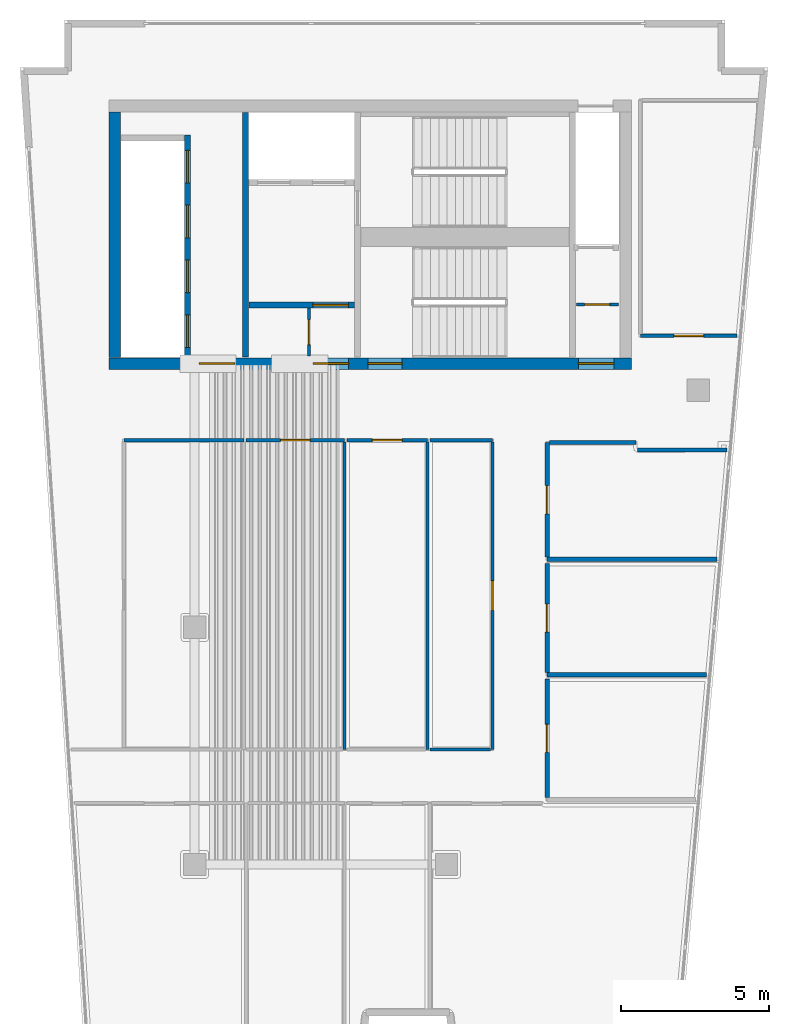
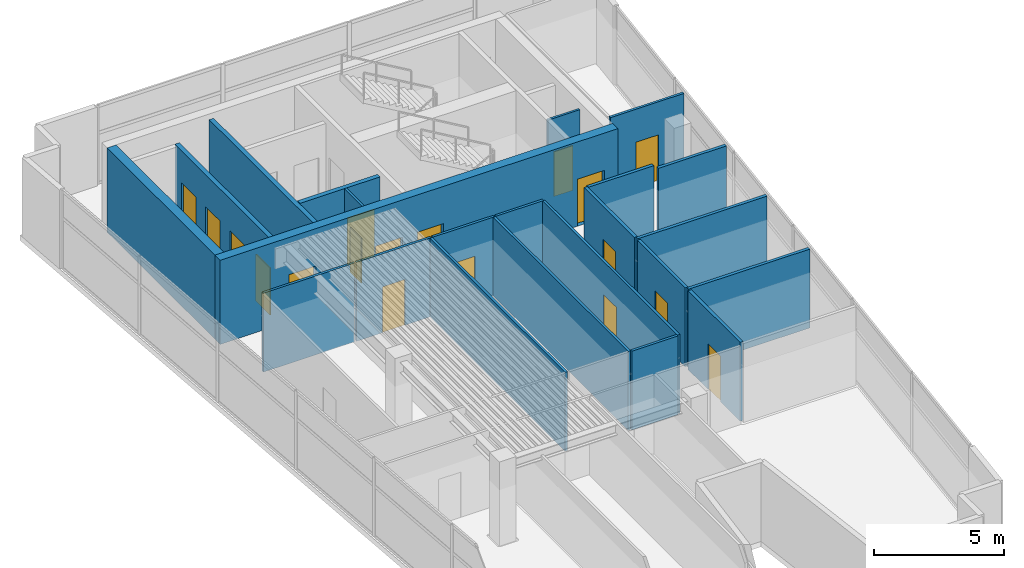
# One storey, part 4 of 7: 23 walls, 18 doors, 18 openings.
"""IFC4 building model written with IfcOpenShell, lengths in metres."""

from ifc_helpers import new_model, si_unit, direction, frame, frame_2d, origin, place, context, subcontext, project, spatial, rectangle, extrude, material, layer, layer_set, type_object, element, fill, save


model = new_model("IFC4")

# Units and contexts
model_context = context("Model", 3, precision=1e-05, world=origin(), true_north=direction((0.0, 1.0)))
body_context = subcontext(model_context, "Body", "Model", "MODEL_VIEW")
ifc_project = project(units=[si_unit("LENGTHUNIT", "METRE"), si_unit("AREAUNIT", "SQUARE_METRE"), si_unit("VOLUMEUNIT", "CUBIC_METRE"), si_unit("PLANEANGLEUNIT", "RADIAN"), si_unit("MASSUNIT", "GRAM", prefix="KILO")], contexts=[model_context])

# Site, building, storey
site_placement = place(None, origin())
site = spatial("IfcSite", under=ifc_project, at=site_placement, CompositionType="ELEMENT")
building_placement = place(site_placement, origin())
building = spatial("IfcBuilding", under=site, at=building_placement, Name="Caeloran Harvest Quay", CompositionType="ELEMENT")
storey_placement = place(building_placement, frame((0.0, 0.0, 304.10009765625)))
storey = spatial("IfcBuildingStorey", under=building, at=storey_placement, Name="L73", CompositionType="ELEMENT", Elevation=304.10009765625)

# Wall, opening, door
ifc_material_1 = material(Name="Fire-Resisting Gypsum Core Riser Partition", Category="gypsum")
ifc_layer_1 = layer(ifc_material_1, 0.10009765625, Name="Fire-Resisting Gypsum Core Riser Partition")
ifc_layer_set_1 = layer_set([ifc_layer_1], Name="Fire-Resisting Gypsum Core Riser Partition")
wall_type_1 = type_object("IfcWallType", Name="INT-WALL-PW-100", PredefinedType="PARTITIONING", material=ifc_layer_set_1)
wall_1_placement = place(storey_placement, frame((12.360107421875, 32.159912109375, 0.0), z_axis=(0.0, 0.0, 1.0), x_axis=(0.0, 1.0, 0.0)))
wall_1 = element("IfcWall", 1, at=wall_1_placement, inside=storey, type_object=wall_type_1, Name="L73 Core Store Partition Wall", PredefinedType="PARTITIONING", context=body_context, shape_type="SweptSolid", body=[
    extrude(rectangle(XDim=1.6201171875, YDim=0.10009765625, at=frame_2d((0.81005859375, 0.0))), origin(), (0.0, 0.0, 1.0), 3.699951171875),
])
opening_1_placement = place(wall_1_placement, frame((0.3798828125, 0.0, 0.0)))
opening_1 = element("IfcOpeningElement", 2, at=opening_1_placement, cuts=wall_1, Name="Opening SV-01", PredefinedType="OPENING", context=body_context, shape_type="SweptSolid", body=[
    extrude(rectangle(XDim=0.85009765625, YDim=2.10009765625, at=frame_2d((0.425048828125, 1.050048828125))), frame((0.0, 0.06005859375, 0.0), z_axis=(0.0, -1.0, 0.0), x_axis=(1.0, 0.0, 0.0)), (0.0, 0.0, 1.0), 0.1201171875),
])
ifc_material_2 = material(Name="Galvanized Painted Steel", Category="steel")
door_type_1 = type_object("IfcDoorType", Name="INTDOOR-SV-01", OperationType="NOTDEFINED", PredefinedType="DOOR", material=ifc_material_2)
door_1_placement = place(opening_1_placement, origin())
door_1 = element("IfcDoor", 3, at=door_1_placement, inside=storey, type_object=door_type_1, Name="L73 Core Service Room Access Door", OperationType="SINGLE_SWING_LEFT", OverallHeight=2.10009765625, OverallWidth=0.85009765625, PredefinedType="DOOR", context=body_context, shape_type="SweptSolid", body=[
    extrude(rectangle(XDim=0.85009765625, YDim=2.10009765625, at=frame_2d((0.425048828125, 1.050048828125))), frame((0.0, 0.02490234375, 0.0), z_axis=(0.0, -1.0, 0.0), x_axis=(1.0, 0.0, 0.0)), (0.0, 0.0, 1.0), 0.050048828125),
])
fill(opening_1, door_1)

wall_2_placement = place(storey_placement, frame((21.3798828125, 33.889892578125, 0.0), z_axis=(0.0, 0.0, 1.0), x_axis=(1.0, 0.0, 0.0)))
wall_2 = element("IfcWall", 4, at=wall_2_placement, inside=storey, type_object=wall_type_1, Name="L73 Cleaner Store Partition Wall", PredefinedType="PARTITIONING", context=body_context, shape_type="SweptSolid", body=[
    extrude(rectangle(XDim=1.420166015625, YDim=0.10009765625, at=frame_2d((0.7099609375, 0.0))), origin(), (0.0, 0.0, 1.0), 3.699951171875),
])
opening_2_placement = place(wall_2_placement, frame((0.280029296875, 0.0, 0.0)))
opening_2 = element("IfcOpeningElement", 5, at=opening_2_placement, cuts=wall_2, Name="Opening SV-01", PredefinedType="OPENING", context=body_context, shape_type="SweptSolid", body=[
    extrude(rectangle(XDim=0.85009765625, YDim=2.10009765625, at=frame_2d((0.425048828125, 1.050048828125))), frame((0.0, 0.06005859375, 0.0), z_axis=(0.0, -1.0, 0.0), x_axis=(1.0, 0.0, 0.0)), (0.0, 0.0, 1.0), 0.1201171875),
])
door_2_placement = place(opening_2_placement, origin())
door_2 = element("IfcDoor", 6, at=door_2_placement, inside=storey, type_object=door_type_1, Name="L73 Cleaner Supply Store Access Door", OperationType="SINGLE_SWING_RIGHT", OverallHeight=2.10009765625, OverallWidth=0.85009765625, PredefinedType="DOOR", context=body_context, shape_type="SweptSolid", body=[
    extrude(rectangle(XDim=0.85009765625, YDim=2.10009765625, at=frame_2d((0.425048828125, 1.050048828125))), frame((0.0, 0.02490234375, 0.0), z_axis=(0.0, -1.0, 0.0), x_axis=(1.0, 0.0, 0.0)), (0.0, 0.0, 1.0), 0.050048828125),
])
fill(opening_2, door_2)

ifc_material_3 = material(Name="Single-Stud Acoustic Gypsum Office Partition", Category="gypsum")
ifc_layer_2 = layer(ifc_material_3, 0.112060546875, Name="Single-Stud Acoustic Gypsum Office Partition")
ifc_layer_set_2 = layer_set([ifc_layer_2], Name="Single-Stud Acoustic Gypsum Office Partition")
wall_type_2 = type_object("IfcWallType", Name="INT-WALL-PW-112", PredefinedType="PARTITIONING", material=ifc_layer_set_2)
wall_3_placement = place(storey_placement, frame((26.812744140625, 32.840087890625, 0.0), z_axis=(0.0, 0.0, 1.0), x_axis=(-1.0, 0.0, 0.0)))
wall_3 = element("IfcWall", 7, at=wall_3_placement, inside=storey, type_object=wall_type_2, Name="L73 Bioinformatics and Crop Phenotyping Laboratory Partition Wall", PredefinedType="PARTITIONING", context=body_context, shape_type="SweptSolid", body=[
    extrude(rectangle(XDim=3.272705078125, YDim=0.112060546875, at=frame_2d((1.63623046875, 0.0))), origin(), (0.0, 0.0, 1.0), 3.699951171875),
])
opening_3_placement = place(wall_3_placement, frame((1.136474609375, 0.0, 0.0)))
opening_3 = element("IfcOpeningElement", 8, at=opening_3_placement, cuts=wall_3, Name="Opening ID-01", PredefinedType="OPENING", context=body_context, shape_type="SweptSolid", body=[
    extrude(rectangle(XDim=1.0, YDim=2.14990234375, at=frame_2d((0.5, 1.074951171875))), frame((0.0, 0.06591796875, 0.0), z_axis=(0.0, -1.0, 0.0), x_axis=(1.0, 0.0, 0.0)), (0.0, 0.0, 1.0), 0.132080078125),
])
ifc_material_4 = material(Name="FSC Solid-Core Ash Timber and Acoustic Seal", Category="wood")
door_type_2 = type_object("IfcDoorType", Name="INTDOOR-ID-01", OperationType="NOTDEFINED", PredefinedType="DOOR", material=ifc_material_4)
door_3_placement = place(opening_3_placement, origin())
door_3 = element("IfcDoor", 9, at=door_3_placement, inside=storey, type_object=door_type_2, Name="L73 Bioinformatics and Crop Phenotyping Laboratory Access Door", OperationType="SINGLE_SWING_LEFT", OverallHeight=2.14990234375, OverallWidth=1.0, PredefinedType="DOOR", context=body_context, shape_type="SweptSolid", body=[
    extrude(rectangle(XDim=1.0, YDim=2.14990234375, at=frame_2d((0.5, 1.074951171875))), frame((0.0, 0.02490234375, 0.0), z_axis=(0.0, -1.0, 0.0), x_axis=(1.0, 0.0, 0.0)), (0.0, 0.0, 1.0), 0.050048828125),
])
fill(opening_3, door_3)

# Wall
wall_4_placement = place(storey_placement, frame((6.110107421875, 29.320068359375, 0.0), z_axis=(0.0, 0.0, 1.0), x_axis=(1.0, 0.0, 0.0)))
element("IfcWall", 10, at=wall_4_placement, inside=storey, type_object=wall_type_2, Name="Sky-Atrium Observation Lounge Partition Wall", PredefinedType="PARTITIONING", context=body_context, shape_type="SweptSolid", body=[
    extrude(rectangle(XDim=4.0498046875, YDim=0.112060546875, at=frame_2d((2.02490234375, 0.0))), origin(), (0.0, 0.0, 1.0), 3.699951171875),
])

# Wall, opening, door
wall_5_placement = place(storey_placement, frame((10.239990234375, 29.320068359375, 0.0), z_axis=(0.0, 0.0, 1.0), x_axis=(1.0, 0.0, 0.0)))
wall_5 = element("IfcWall", 11, at=wall_5_placement, inside=storey, type_object=wall_type_2, Name="Botanical Tea Kitchen Partition Wall", PredefinedType="PARTITIONING", context=body_context, shape_type="SweptSolid", body=[
    extrude(rectangle(XDim=3.320068359375, YDim=0.112060546875, at=frame_2d((1.66015625, 0.0))), origin(), (0.0, 0.0, 1.0), 3.699951171875),
])
opening_4_placement = place(wall_5_placement, frame((1.159912109375, 0.0, 0.0)))
opening_4 = element("IfcOpeningElement", 12, at=opening_4_placement, cuts=wall_5, Name="Opening ID-01", PredefinedType="OPENING", context=body_context, shape_type="SweptSolid", body=[
    extrude(rectangle(XDim=1.0, YDim=2.14990234375, at=frame_2d((0.5, 1.074951171875))), frame((0.0, 0.06591796875, 0.0), z_axis=(0.0, -1.0, 0.0), x_axis=(1.0, 0.0, 0.0)), (0.0, 0.0, 1.0), 0.132080078125),
])
door_4_placement = place(opening_4_placement, origin())
door_4 = element("IfcDoor", 13, at=door_4_placement, inside=storey, type_object=door_type_2, Name="Botanical Tea Kitchen Access Door", OperationType="SINGLE_SWING_RIGHT", OverallHeight=2.14990234375, OverallWidth=1.0, PredefinedType="DOOR", context=body_context, shape_type="SweptSolid", body=[
    extrude(rectangle(XDim=1.0, YDim=2.14990234375, at=frame_2d((0.5, 1.074951171875))), frame((0.0, 0.02490234375, 0.0), z_axis=(0.0, -1.0, 0.0), x_axis=(1.0, 0.0, 0.0)), (0.0, 0.0, 1.0), 0.050048828125),
])
fill(opening_4, door_4)

# Wall
wall_6_placement = place(storey_placement, frame((13.56005859375, 29.259033203125, 0.0), z_axis=(0.0, 0.0, 1.0), x_axis=(0.0, -1.0, 0.0)))
element("IfcWall", 14, at=wall_6_placement, inside=storey, type_object=wall_type_2, Name="Botanical Tea Kitchen Partition Wall", PredefinedType="PARTITIONING", context=body_context, shape_type="SweptSolid", body=[
    extrude(rectangle(XDim=10.379150390625, YDim=0.112060546875, at=frame_2d((5.189453125, 0.0))), origin(), (0.0, 0.0, 1.0), 3.699951171875),
])

# Wall, opening, door
wall_7_placement = place(storey_placement, frame((13.639892578125, 29.320068359375, 0.0), z_axis=(0.0, 0.0, 1.0), x_axis=(1.0, 0.0, 0.0)))
wall_7 = element("IfcWall", 15, at=wall_7_placement, inside=storey, type_object=wall_type_2, Name="West Harbour Tasting Kitchen 7 Partition Wall", PredefinedType="PARTITIONING", context=body_context, shape_type="SweptSolid", body=[
    extrude(rectangle(XDim=2.72021484375, YDim=0.112060546875, at=frame_2d((1.360107421875, 0.0))), origin(), (0.0, 0.0, 1.0), 3.699951171875),
])
opening_5_placement = place(wall_7_placement, frame((0.860107421875, 0.0, 0.0)))
opening_5 = element("IfcOpeningElement", 16, at=opening_5_placement, cuts=wall_7, Name="Opening ID-01", PredefinedType="OPENING", context=body_context, shape_type="SweptSolid", body=[
    extrude(rectangle(XDim=1.0, YDim=2.14990234375, at=frame_2d((0.5, 1.074951171875))), frame((0.0, 0.06591796875, 0.0), z_axis=(0.0, -1.0, 0.0), x_axis=(1.0, 0.0, 0.0)), (0.0, 0.0, 1.0), 0.132080078125),
])
door_5_placement = place(opening_5_placement, origin())
door_5 = element("IfcDoor", 17, at=door_5_placement, inside=storey, type_object=door_type_2, Name="West Harbour Tasting Kitchen 7 Access Door", OperationType="SINGLE_SWING_LEFT", OverallHeight=2.14990234375, OverallWidth=1.0, PredefinedType="DOOR", context=body_context, shape_type="SweptSolid", body=[
    extrude(rectangle(XDim=1.0, YDim=2.14990234375, at=frame_2d((0.5, 1.074951171875))), frame((0.0, 0.02490234375, 0.0), z_axis=(0.0, -1.0, 0.0), x_axis=(1.0, 0.0, 0.0)), (0.0, 0.0, 1.0), 0.050048828125),
])
fill(opening_5, door_5)

# Walls
wall_8_placement = place(storey_placement, frame((16.360107421875, 29.259033203125, 0.0), z_axis=(0.0, 0.0, 1.0), x_axis=(0.0, -1.0, 0.0)))
element("IfcWall", 18, at=wall_8_placement, inside=storey, type_object=wall_type_2, Name="West Harbour Tasting Kitchen 7 Partition Wall", PredefinedType="PARTITIONING", context=body_context, shape_type="SweptSolid", body=[
    extrude(rectangle(XDim=10.379150390625, YDim=0.112060546875, at=frame_2d((5.189453125, 0.0))), origin(), (0.0, 0.0, 1.0), 3.699951171875),
])
wall_9_placement = place(storey_placement, frame((16.43994140625, 29.320068359375, 0.0), z_axis=(0.0, 0.0, 1.0), x_axis=(1.0, 0.0, 0.0)))
element("IfcWall", 19, at=wall_9_placement, inside=storey, type_object=wall_type_2, Name="Executive Dining Kitchen 8 Partition Wall", PredefinedType="PARTITIONING", context=body_context, shape_type="SweptSolid", body=[
    extrude(rectangle(XDim=2.110107421875, YDim=0.112060546875, at=frame_2d((1.05517578125, 0.0))), origin(), (0.0, 0.0, 1.0), 3.699951171875),
])

# Wall, opening, door
wall_10_placement = place(storey_placement, frame((18.550048828125, 29.259033203125, 0.0), z_axis=(0.0, 0.0, 1.0), x_axis=(0.0, -1.0, 0.0)))
wall_10 = element("IfcWall", 20, at=wall_10_placement, inside=storey, type_object=wall_type_2, Name="Executive Dining Kitchen 8 Partition Wall", PredefinedType="PARTITIONING", context=body_context, shape_type="SweptSolid", body=[
    extrude(rectangle(XDim=10.379150390625, YDim=0.112060546875, at=frame_2d((5.189453125, 0.0))), origin(), (0.0, 0.0, 1.0), 3.699951171875),
])
opening_6_placement = place(wall_10_placement, frame((4.689453125, 0.0, 0.0)))
opening_6 = element("IfcOpeningElement", 21, at=opening_6_placement, cuts=wall_10, Name="Opening ID-01", PredefinedType="OPENING", context=body_context, shape_type="SweptSolid", body=[
    extrude(rectangle(XDim=1.0, YDim=2.14990234375, at=frame_2d((0.5, 1.074951171875))), frame((0.0, 0.06591796875, 0.0), z_axis=(0.0, -1.0, 0.0), x_axis=(1.0, 0.0, 0.0)), (0.0, 0.0, 1.0), 0.132080078125),
])
door_6_placement = place(opening_6_placement, origin())
door_6 = element("IfcDoor", 22, at=door_6_placement, inside=storey, type_object=door_type_2, Name="Executive Dining Kitchen 8 Access Door", OperationType="SINGLE_SWING_RIGHT", OverallHeight=2.14990234375, OverallWidth=1.0, PredefinedType="DOOR", context=body_context, shape_type="SweptSolid", body=[
    extrude(rectangle(XDim=1.0, YDim=2.14990234375, at=frame_2d((0.5, 1.074951171875))), frame((0.0, 0.02490234375, 0.0), z_axis=(0.0, -1.0, 0.0), x_axis=(1.0, 0.0, 0.0)), (0.0, 0.0, 1.0), 0.050048828125),
])
fill(opening_6, door_6)

# Walls
wall_11_placement = place(storey_placement, frame((18.489013671875, 18.8798828125, 0.0), z_axis=(0.0, 0.0, 1.0), x_axis=(-1.0, 0.0, 0.0)))
element("IfcWall", 23, at=wall_11_placement, inside=storey, type_object=wall_type_2, Name="Executive Dining Kitchen 8 Partition Wall", PredefinedType="PARTITIONING", context=body_context, shape_type="SweptSolid", body=[
    extrude(rectangle(XDim=2.049072265625, YDim=0.112060546875, at=frame_2d((1.0244140625, 0.0))), origin(), (0.0, 0.0, 1.0), 3.699951171875),
])
ifc_material_5 = material(Name="Moisture-Resistant Cement-Board Sanitary Partition", Category="gypsum")
ifc_layer_3 = layer(ifc_material_5, 0.139892578125, Name="Moisture-Resistant Cement-Board Sanitary Partition")
ifc_layer_set_3 = layer_set([ifc_layer_3], Name="Moisture-Resistant Cement-Board Sanitary Partition")
wall_type_3 = type_object("IfcWallType", Name="INT-WALL-PW-140", PredefinedType="PARTITIONING", material=ifc_layer_set_3)
wall_12_placement = place(storey_placement, frame((23.449951171875, 28.989990234375, 0.0), z_axis=(0.0, 0.0, 1.0), x_axis=(1.0, 0.0, 0.0)))
element("IfcWall", 24, at=wall_12_placement, inside=storey, type_object=wall_type_3, Name="L73 Male Washroom WC Partition Wall", PredefinedType="PARTITIONING", context=body_context, shape_type="SweptSolid", body=[
    extrude(rectangle(XDim=3.015625, YDim=0.139892578125, at=frame_2d((1.5078125, 0.0))), origin(), (0.0, 0.0, 1.0), 3.699951171875),
])
wall_13_placement = place(storey_placement, frame((26.1328125, 25.300048828125, 0.0), z_axis=(0.0, 0.0, 1.0), x_axis=(-1.0, 0.0, 0.0)))
element("IfcWall", 25, at=wall_13_placement, inside=storey, type_object=wall_type_3, Name="L73 Male Washroom WC Partition Wall", PredefinedType="PARTITIONING", context=body_context, shape_type="SweptSolid", body=[
    extrude(rectangle(XDim=5.73291015625, YDim=0.139892578125, at=frame_2d((2.866455078125, 0.0))), origin(), (0.0, 0.0, 1.0), 3.699951171875),
])

# Wall, opening, door
wall_14_placement = place(storey_placement, frame((20.39990234375, 25.375, 0.0), z_axis=(0.0, 0.0, 1.0), x_axis=(0.0, 1.0, 0.0)))
wall_14 = element("IfcWall", 26, at=wall_14_placement, inside=storey, type_object=wall_type_3, Name="L73 Male Washroom WC Partition Wall", PredefinedType="PARTITIONING", context=body_context, shape_type="SweptSolid", body=[
    extrude(rectangle(XDim=3.864990234375, YDim=0.139892578125, at=frame_2d((1.9326171875, 0.0))), origin(), (0.0, 0.0, 1.0), 3.699951171875),
])
opening_7_placement = place(wall_14_placement, frame((1.45751953125, 0.0, 0.0)))
opening_7 = element("IfcOpeningElement", 27, at=opening_7_placement, cuts=wall_14, Name="Opening WC-01", PredefinedType="OPENING", context=body_context, shape_type="SweptSolid", body=[
    extrude(rectangle(XDim=0.949951171875, YDim=2.14990234375, at=frame_2d((0.47509765625, 1.074951171875))), frame((0.0, 0.080078125, 0.0), z_axis=(0.0, -1.0, 0.0), x_axis=(1.0, 0.0, 0.0)), (0.0, 0.0, 1.0), 0.159912109375),
])
ifc_material_6 = material(Name="High-Pressure Laminate Moisture-Resistant Timber", Category="wood")
door_type_3 = type_object("IfcDoorType", Name="INTDOOR-WC-01", OperationType="NOTDEFINED", PredefinedType="DOOR", material=ifc_material_6)
door_7_placement = place(opening_7_placement, origin())
door_7 = element("IfcDoor", 28, at=door_7_placement, inside=storey, type_object=door_type_3, Name="L73 Male Washroom WC Access Door", OperationType="SINGLE_SWING_RIGHT", OverallHeight=2.14990234375, OverallWidth=0.949951171875, PredefinedType="DOOR", context=body_context, shape_type="SweptSolid", body=[
    extrude(rectangle(XDim=0.949951171875, YDim=2.14990234375, at=frame_2d((0.47509765625, 1.074951171875))), frame((0.0, 0.02490234375, 0.0), z_axis=(0.0, -1.0, 0.0), x_axis=(1.0, 0.0, 0.0)), (0.0, 0.0, 1.0), 0.050048828125),
])
fill(opening_7, door_7)

# Walls
wall_15_placement = place(storey_placement, frame((20.47509765625, 29.239990234375, 0.0), z_axis=(0.0, 0.0, 1.0), x_axis=(1.0, 0.0, 0.0)))
element("IfcWall", 29, at=wall_15_placement, inside=storey, type_object=wall_type_3, Name="L73 Male Washroom WC Partition Wall", PredefinedType="PARTITIONING", context=body_context, shape_type="SweptSolid", body=[
    extrude(rectangle(XDim=2.914794921875, YDim=0.139892578125, at=frame_2d((1.45751953125, 0.0))), origin(), (0.0, 0.0, 1.0), 3.699951171875),
])
wall_16_placement = place(storey_placement, frame((25.781005859375, 21.39990234375, 0.0), z_axis=(0.0, 0.0, 1.0), x_axis=(-1.0, 0.0, 0.0)))
element("IfcWall", 30, at=wall_16_placement, inside=storey, type_object=wall_type_3, Name="L73 Female Washroom WC Partition Wall", PredefinedType="PARTITIONING", context=body_context, shape_type="SweptSolid", body=[
    extrude(rectangle(XDim=5.381103515625, YDim=0.139892578125, at=frame_2d((2.6904296875, 0.0))), origin(), (0.0, 0.0, 1.0), 3.699951171875),
])

# Wall, opening, door
wall_17_placement = place(storey_placement, frame((20.39990234375, 21.47509765625, 0.0), z_axis=(0.0, 0.0, 1.0), x_axis=(0.0, 1.0, 0.0)))
wall_17 = element("IfcWall", 31, at=wall_17_placement, inside=storey, type_object=wall_type_3, Name="L73 Female Washroom WC Partition Wall", PredefinedType="PARTITIONING", context=body_context, shape_type="SweptSolid", body=[
    extrude(rectangle(XDim=3.6748046875, YDim=0.139892578125, at=frame_2d((1.83740234375, 0.0))), origin(), (0.0, 0.0, 1.0), 3.699951171875),
])
opening_8_placement = place(wall_17_placement, frame((1.362548828125, 0.0, 0.0)))
opening_8 = element("IfcOpeningElement", 32, at=opening_8_placement, cuts=wall_17, Name="Opening WC-01", PredefinedType="OPENING", context=body_context, shape_type="SweptSolid", body=[
    extrude(rectangle(XDim=0.949951171875, YDim=2.14990234375, at=frame_2d((0.47509765625, 1.074951171875))), frame((0.0, 0.080078125, 0.0), z_axis=(0.0, -1.0, 0.0), x_axis=(1.0, 0.0, 0.0)), (0.0, 0.0, 1.0), 0.159912109375),
])
door_8_placement = place(opening_8_placement, origin())
door_8 = element("IfcDoor", 33, at=door_8_placement, inside=storey, type_object=door_type_3, Name="L73 Female Washroom WC Access Door", OperationType="SINGLE_SWING_LEFT", OverallHeight=2.14990234375, OverallWidth=0.949951171875, PredefinedType="DOOR", context=body_context, shape_type="SweptSolid", body=[
    extrude(rectangle(XDim=0.949951171875, YDim=2.14990234375, at=frame_2d((0.47509765625, 1.074951171875))), frame((0.0, 0.02490234375, 0.0), z_axis=(0.0, -1.0, 0.0), x_axis=(1.0, 0.0, 0.0)), (0.0, 0.0, 1.0), 0.050048828125),
])
fill(opening_8, door_8)

wall_18_placement = place(storey_placement, frame((20.39990234375, 17.2548828125, 0.0), z_axis=(0.0, 0.0, 1.0), x_axis=(0.0, 1.0, 0.0)))
wall_18 = element("IfcWall", 34, at=wall_18_placement, inside=storey, type_object=wall_type_3, Name="L73 Accessible Unisex Washroom WC Partition Wall", PredefinedType="PARTITIONING", context=body_context, shape_type="SweptSolid", body=[
    extrude(rectangle(XDim=3.9951171875, YDim=0.139892578125, at=frame_2d((1.99755859375, 0.0))), origin(), (0.0, 0.0, 1.0), 3.699951171875),
])
opening_9_placement = place(wall_18_placement, frame((1.5224609375, 0.0, 0.0)))
opening_9 = element("IfcOpeningElement", 35, at=opening_9_placement, cuts=wall_18, Name="Opening WC-01", PredefinedType="OPENING", context=body_context, shape_type="SweptSolid", body=[
    extrude(rectangle(XDim=0.949951171875, YDim=2.14990234375, at=frame_2d((0.47509765625, 1.074951171875))), frame((0.0, 0.080078125, 0.0), z_axis=(0.0, -1.0, 0.0), x_axis=(1.0, 0.0, 0.0)), (0.0, 0.0, 1.0), 0.159912109375),
])
door_9_placement = place(opening_9_placement, origin())
door_9 = element("IfcDoor", 36, at=door_9_placement, inside=storey, type_object=door_type_3, Name="L73 Accessible Unisex Washroom WC Access Door", OperationType="SINGLE_SWING_RIGHT", OverallHeight=2.14990234375, OverallWidth=0.949951171875, PredefinedType="DOOR", context=body_context, shape_type="SweptSolid", body=[
    extrude(rectangle(XDim=0.949951171875, YDim=2.14990234375, at=frame_2d((0.47509765625, 1.074951171875))), frame((0.0, 0.02490234375, 0.0), z_axis=(0.0, -1.0, 0.0), x_axis=(1.0, 0.0, 0.0)), (0.0, 0.0, 1.0), 0.050048828125),
])
fill(opening_9, door_9)

# Wall, openings, doors
ifc_material_7 = material(Name="Concrete C50/60", Category="concrete")
ifc_layer_4 = layer(ifc_material_7, 0.199951171875, Name="Concrete C50/60")
ifc_layer_set_4 = layer_set([ifc_layer_4], Name="Concrete C50/60")
wall_type_4 = type_object("IfcWallType", Name="INT-WALL-SW-200", PredefinedType="PARTITIONING", material=ifc_layer_set_4)
wall_19_placement = place(storey_placement, frame((8.260009765625, 32.1201171875, 0.0), z_axis=(0.0, 0.0, 1.0), x_axis=(0.0, 1.0, 0.0)))
wall_19 = element("IfcWall", 37, at=wall_19_placement, inside=storey, type_object=wall_type_4, Name="L73 Bank 3 Lift Shaft Wall", PredefinedType="PARTITIONING", context=body_context, shape_type="SweptSolid", body=[
    extrude(rectangle(XDim=7.5, YDim=0.199951171875, at=frame_2d((3.75, 0.0))), origin(), (0.0, 0.0, 1.0), 3.699951171875),
])
opening_10_placement = place(wall_19_placement, frame((0.330078125, 0.0, 0.0)))
opening_10 = element("IfcOpeningElement", 38, at=opening_10_placement, cuts=wall_19, Name="Opening LD-01", PredefinedType="OPENING", context=body_context, shape_type="SweptSolid", body=[
    extrude(rectangle(XDim=1.10009765625, YDim=2.199951171875, at=frame_2d((0.550048828125, 1.10009765625))), frame((0.0, 0.10986328125, 0.0), z_axis=(0.0, -1.0, 0.0), x_axis=(1.0, 0.0, 0.0)), (0.0, 0.0, 1.0), 0.219970703125),
])
opening_11_placement = place(wall_19_placement, frame((2.179931640625, 0.0, 0.0)))
opening_11 = element("IfcOpeningElement", 39, at=opening_11_placement, cuts=wall_19, Name="Opening LD-01", PredefinedType="OPENING", context=body_context, shape_type="SweptSolid", body=[
    extrude(rectangle(XDim=1.10009765625, YDim=2.199951171875, at=frame_2d((0.550048828125, 1.10009765625))), frame((0.0, 0.10986328125, 0.0), z_axis=(0.0, -1.0, 0.0), x_axis=(1.0, 0.0, 0.0)), (0.0, 0.0, 1.0), 0.219970703125),
])
opening_12_placement = place(wall_19_placement, frame((4.030029296875, 0.0, 0.0)))
opening_12 = element("IfcOpeningElement", 40, at=opening_12_placement, cuts=wall_19, Name="Opening LD-01", PredefinedType="OPENING", context=body_context, shape_type="SweptSolid", body=[
    extrude(rectangle(XDim=1.10009765625, YDim=2.199951171875, at=frame_2d((0.550048828125, 1.10009765625))), frame((0.0, 0.10986328125, 0.0), z_axis=(0.0, -1.0, 0.0), x_axis=(1.0, 0.0, 0.0)), (0.0, 0.0, 1.0), 0.219970703125),
])
opening_13_placement = place(wall_19_placement, frame((5.8798828125, 0.0, 0.0)))
opening_13 = element("IfcOpeningElement", 41, at=opening_13_placement, cuts=wall_19, Name="Opening LD-01", PredefinedType="OPENING", context=body_context, shape_type="SweptSolid", body=[
    extrude(rectangle(XDim=1.10009765625, YDim=2.199951171875, at=frame_2d((0.550048828125, 1.10009765625))), frame((0.0, 0.10986328125, 0.0), z_axis=(0.0, -1.0, 0.0), x_axis=(1.0, 0.0, 0.0)), (0.0, 0.0, 1.0), 0.219970703125),
])
ifc_material_8 = material(Name="Stainless Steel Grade 316", Category="steel")
door_type_4 = type_object("IfcDoorType", Name="INTDOOR-LD-01", OperationType="NOTDEFINED", PredefinedType="DOOR", material=ifc_material_8)
door_10_placement = place(opening_10_placement, origin())
door_10 = element("IfcDoor", 42, at=door_10_placement, inside=storey, type_object=door_type_4, Name="Lift P3-1 Sliding Landing Door (L73)", OperationType="DOUBLE_DOOR_SLIDING", OverallHeight=2.199951171875, OverallWidth=1.10009765625, PredefinedType="DOOR", context=body_context, shape_type="SweptSolid", body=[
    extrude(rectangle(XDim=1.10009765625, YDim=2.199951171875, at=frame_2d((0.550048828125, 1.10009765625))), frame((0.0, 0.02490234375, 0.0), z_axis=(0.0, -1.0, 0.0), x_axis=(1.0, 0.0, 0.0)), (0.0, 0.0, 1.0), 0.050048828125),
])
fill(opening_10, door_10)
door_11_placement = place(opening_11_placement, origin())
door_11 = element("IfcDoor", 43, at=door_11_placement, inside=storey, type_object=door_type_4, Name="Lift P3-2 Sliding Landing Door (L73)", OperationType="DOUBLE_DOOR_SLIDING", OverallHeight=2.199951171875, OverallWidth=1.10009765625, PredefinedType="DOOR", context=body_context, shape_type="SweptSolid", body=[
    extrude(rectangle(XDim=1.10009765625, YDim=2.199951171875, at=frame_2d((0.550048828125, 1.10009765625))), frame((0.0, 0.02490234375, 0.0), z_axis=(0.0, -1.0, 0.0), x_axis=(1.0, 0.0, 0.0)), (0.0, 0.0, 1.0), 0.050048828125),
])
fill(opening_11, door_11)
door_12_placement = place(opening_12_placement, origin())
door_12 = element("IfcDoor", 44, at=door_12_placement, inside=storey, type_object=door_type_4, Name="Lift P3-3 Sliding Landing Door (L73)", OperationType="DOUBLE_DOOR_SLIDING", OverallHeight=2.199951171875, OverallWidth=1.10009765625, PredefinedType="DOOR", context=body_context, shape_type="SweptSolid", body=[
    extrude(rectangle(XDim=1.10009765625, YDim=2.199951171875, at=frame_2d((0.550048828125, 1.10009765625))), frame((0.0, 0.02490234375, 0.0), z_axis=(0.0, -1.0, 0.0), x_axis=(1.0, 0.0, 0.0)), (0.0, 0.0, 1.0), 0.050048828125),
])
fill(opening_12, door_12)
door_13_placement = place(opening_13_placement, origin())
door_13 = element("IfcDoor", 45, at=door_13_placement, inside=storey, type_object=door_type_4, Name="Lift P3-4 Sliding Landing Door (L73)", OperationType="DOUBLE_DOOR_SLIDING", OverallHeight=2.199951171875, OverallWidth=1.10009765625, PredefinedType="DOOR", context=body_context, shape_type="SweptSolid", body=[
    extrude(rectangle(XDim=1.10009765625, YDim=2.199951171875, at=frame_2d((0.550048828125, 1.10009765625))), frame((0.0, 0.02490234375, 0.0), z_axis=(0.0, -1.0, 0.0), x_axis=(1.0, 0.0, 0.0)), (0.0, 0.0, 1.0), 0.050048828125),
])
fill(opening_13, door_13)

# Wall
wall_20_placement = place(storey_placement, frame((10.219970703125, 32.1201171875, 0.0), z_axis=(0.0, 0.0, 1.0), x_axis=(0.0, 1.0, 0.0)))
element("IfcWall", 46, at=wall_20_placement, inside=storey, type_object=wall_type_4, Name="L73 Core Lobby Compartment Wall", PredefinedType="PARTITIONING", context=body_context, shape_type="SweptSolid", body=[
    extrude(rectangle(XDim=8.259765625, YDim=0.199951171875, at=frame_2d((4.1298828125, 0.0))), origin(), (0.0, 0.0, 1.0), 3.699951171875),
])

# Wall, opening, door
wall_21_placement = place(storey_placement, frame((10.340087890625, 33.8798828125, 0.0), z_axis=(0.0, 0.0, 1.0), x_axis=(1.0, 0.0, 0.0)))
wall_21 = element("IfcWall", 47, at=wall_21_placement, inside=storey, type_object=wall_type_4, Name="L73 Firefighting Lift Lobby Enclosure Wall", PredefinedType="PARTITIONING", context=body_context, shape_type="SweptSolid", body=[
    extrude(rectangle(XDim=3.559814453125, YDim=0.199951171875, at=frame_2d((1.77978515625, 0.0))), origin(), (0.0, 0.0, 1.0), 3.699951171875),
])
opening_14_placement = place(wall_21_placement, frame((2.14990234375, 0.0, 0.0)))
opening_14 = element("IfcOpeningElement", 48, at=opening_14_placement, cuts=wall_21, Name="Opening FD-01", PredefinedType="OPENING", context=body_context, shape_type="SweptSolid", body=[
    extrude(rectangle(XDim=1.199951171875, YDim=2.199951171875, at=frame_2d((0.60009765625, 1.10009765625))), frame((0.0, 0.10986328125, 0.0), z_axis=(0.0, -1.0, 0.0), x_axis=(1.0, 0.0, 0.0)), (0.0, 0.0, 1.0), 0.219970703125),
])
ifc_material_9 = material(Name="Steel", Category="steel")
door_type_5 = type_object("IfcDoorType", Name="INTDOOR-FD-01", OperationType="NOTDEFINED", PredefinedType="DOOR", material=ifc_material_9)
door_14_placement = place(opening_14_placement, origin())
door_14 = element("IfcDoor", 49, at=door_14_placement, inside=storey, type_object=door_type_5, Name="L73 Firefighting Lift Lobby Smoke-Seal Fire Door", OperationType="SINGLE_SWING_RIGHT", OverallHeight=2.199951171875, OverallWidth=1.199951171875, PredefinedType="DOOR", context=body_context, shape_type="SweptSolid", body=[
    extrude(rectangle(XDim=1.199951171875, YDim=2.199951171875, at=frame_2d((0.60009765625, 1.10009765625))), frame((0.0, 0.02490234375, 0.0), z_axis=(0.0, -1.0, 0.0), x_axis=(1.0, 0.0, 0.0)), (0.0, 0.0, 1.0), 0.050048828125),
])
fill(opening_14, door_14)

# Wall, openings, doors
ifc_material_10 = material(Name="Concrete C60/75", Category="concrete")
ifc_layer_5 = layer(ifc_material_10, 0.39990234375, Name="Concrete C60/75")
ifc_layer_set_5 = layer_set([ifc_layer_5], Name="Concrete C60/75")
wall_type_5 = type_object("IfcWallType", Name="STR-WALL-CW-400", PredefinedType="SHEAR", material=ifc_layer_set_5)
wall_22_placement = place(storey_placement, frame((5.60009765625, 31.89990234375, 0.0), z_axis=(0.0, 0.0, 1.0), x_axis=(1.0, 0.0, 0.0)))
wall_22 = element("IfcWall", 50, at=wall_22_placement, inside=storey, type_object=wall_type_5, Name="L73 Rear Core Shear Wall S", PredefinedType="SHEAR", context=body_context, shape_type="SweptSolid", body=[
    extrude(rectangle(XDim=17.64990234375, YDim=0.39990234375, at=frame_2d((8.824951171875, 0.0))), origin(), (0.0, 0.0, 1.0), 3.949951171875),
])
opening_15_placement = place(wall_22_placement, frame((3.050048828125, 0.0, 0.0)))
opening_15 = element("IfcOpeningElement", 51, at=opening_15_placement, cuts=wall_22, Name="Opening FD-01", PredefinedType="OPENING", context=body_context, shape_type="SweptSolid", body=[
    extrude(rectangle(XDim=1.199951171875, YDim=2.199951171875, at=frame_2d((0.60009765625, 1.10009765625))), frame((0.0, 0.2099609375, 0.0), z_axis=(0.0, -1.0, 0.0), x_axis=(1.0, 0.0, 0.0)), (0.0, 0.0, 1.0), 0.419921875),
])
opening_16_placement = place(wall_22_placement, frame((6.89990234375, 0.0, 0.0)))
opening_16 = element("IfcOpeningElement", 52, at=opening_16_placement, cuts=wall_22, Name="Opening FD-01", PredefinedType="OPENING", context=body_context, shape_type="SweptSolid", body=[
    extrude(rectangle(XDim=1.199951171875, YDim=2.199951171875, at=frame_2d((0.60009765625, 1.10009765625))), frame((0.0, 0.2099609375, 0.0), z_axis=(0.0, -1.0, 0.0), x_axis=(1.0, 0.0, 0.0)), (0.0, 0.0, 1.0), 0.419921875),
])
opening_17_placement = place(wall_22_placement, frame((8.75, 0.0, 0.0)))
opening_17 = element("IfcOpeningElement", 53, at=opening_17_placement, cuts=wall_22, Name="Opening SD-01", PredefinedType="OPENING", context=body_context, shape_type="SweptSolid", body=[
    extrude(rectangle(XDim=1.14990234375, YDim=2.199951171875, at=frame_2d((0.574951171875, 1.10009765625))), frame((0.0, 0.2099609375, 0.0), z_axis=(0.0, -1.0, 0.0), x_axis=(1.0, 0.0, 0.0)), (0.0, 0.0, 1.0), 0.419921875),
])
opening_18_placement = place(wall_22_placement, frame((15.85009765625, 0.0, 0.0)))
opening_18 = element("IfcOpeningElement", 54, at=opening_18_placement, cuts=wall_22, Name="Opening FD-01", PredefinedType="OPENING", context=body_context, shape_type="SweptSolid", body=[
    extrude(rectangle(XDim=1.199951171875, YDim=2.199951171875, at=frame_2d((0.60009765625, 1.10009765625))), frame((0.0, 0.2099609375, 0.0), z_axis=(0.0, -1.0, 0.0), x_axis=(1.0, 0.0, 0.0)), (0.0, 0.0, 1.0), 0.419921875),
])
door_15_placement = place(opening_15_placement, origin())
door_15 = element("IfcDoor", 55, at=door_15_placement, inside=storey, type_object=door_type_5, Name="L73 High-Rise Lift Lobby Fire Door", OperationType="SINGLE_SWING_RIGHT", OverallHeight=2.199951171875, OverallWidth=1.199951171875, PredefinedType="DOOR", context=body_context, shape_type="SweptSolid", body=[
    extrude(rectangle(XDim=1.199951171875, YDim=2.199951171875, at=frame_2d((0.60009765625, 1.10009765625))), frame((0.0, 0.02490234375, 0.0), z_axis=(0.0, -1.0, 0.0), x_axis=(1.0, 0.0, 0.0)), (0.0, 0.0, 1.0), 0.050048828125),
])
fill(opening_15, door_15)
door_16_placement = place(opening_16_placement, origin())
door_16 = element("IfcDoor", 56, at=door_16_placement, inside=storey, type_object=door_type_5, Name="L73 Firefighting Lobby Vestibule Fire Door", OperationType="SINGLE_SWING_LEFT", OverallHeight=2.199951171875, OverallWidth=1.199951171875, PredefinedType="DOOR", context=body_context, shape_type="SweptSolid", body=[
    extrude(rectangle(XDim=1.199951171875, YDim=2.199951171875, at=frame_2d((0.60009765625, 1.10009765625))), frame((0.0, 0.02490234375, 0.0), z_axis=(0.0, -1.0, 0.0), x_axis=(1.0, 0.0, 0.0)), (0.0, 0.0, 1.0), 0.050048828125),
])
fill(opening_16, door_16)
door_17_placement = place(opening_18_placement, origin())
door_17 = element("IfcDoor", 57, at=door_17_placement, inside=storey, type_object=door_type_5, Name="L73 Service Lift Lobby Fire Door", OperationType="SINGLE_SWING_LEFT", OverallHeight=2.199951171875, OverallWidth=1.199951171875, PredefinedType="DOOR", context=body_context, shape_type="SweptSolid", body=[
    extrude(rectangle(XDim=1.199951171875, YDim=2.199951171875, at=frame_2d((0.60009765625, 1.10009765625))), frame((0.0, 0.02490234375, 0.0), z_axis=(0.0, -1.0, 0.0), x_axis=(1.0, 0.0, 0.0)), (0.0, 0.0, 1.0), 0.050048828125),
])
fill(opening_18, door_17)
door_type_6 = type_object("IfcDoorType", Name="INTDOOR-SD-01", OperationType="NOTDEFINED", PredefinedType="DOOR", material=ifc_material_9)
door_18_placement = place(opening_17_placement, origin())
door_18 = element("IfcDoor", 58, at=door_18_placement, inside=storey, type_object=door_type_6, Name="L73 Protected Stair ST-C2 Exit Door", OperationType="SINGLE_SWING_RIGHT", OverallHeight=2.199951171875, OverallWidth=1.14990234375, PredefinedType="DOOR", context=body_context, shape_type="SweptSolid", body=[
    extrude(rectangle(XDim=1.14990234375, YDim=2.199951171875, at=frame_2d((0.574951171875, 1.10009765625))), frame((0.0, 0.02490234375, 0.0), z_axis=(0.0, -1.0, 0.0), x_axis=(1.0, 0.0, 0.0)), (0.0, 0.0, 1.0), 0.050048828125),
])
fill(opening_17, door_18)

# Wall
wall_23_placement = place(storey_placement, frame((5.800048828125, 32.10009765625, 0.0), z_axis=(0.0, 0.0, 1.0), x_axis=(0.0, 1.0, 0.0)))
element("IfcWall", 59, at=wall_23_placement, inside=storey, type_object=wall_type_5, Name="L73 Rear Core Shear Wall W", PredefinedType="SHEAR", context=body_context, shape_type="SweptSolid", body=[
    extrude(rectangle(XDim=8.2998046875, YDim=0.39990234375, at=frame_2d((4.14990234375, 0.0))), origin(), (0.0, 0.0, 1.0), 3.949951171875),
])

save(model, "model.ifc")
